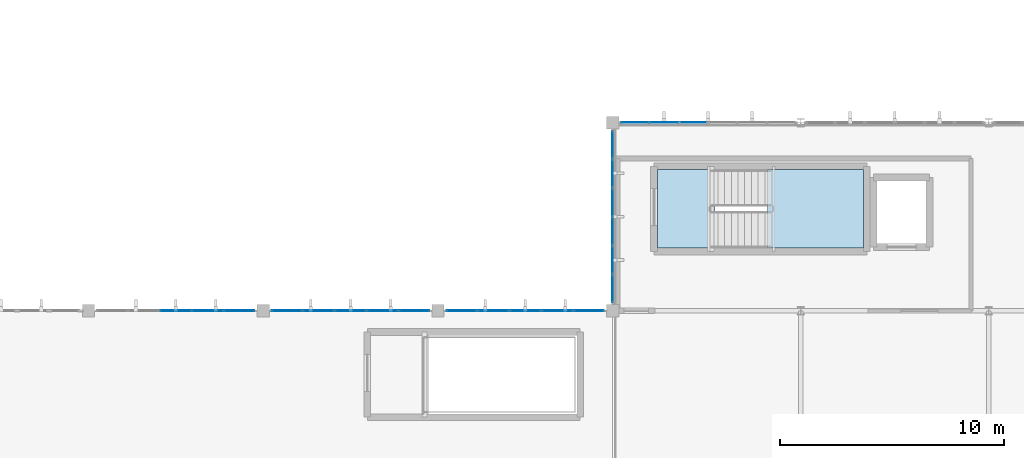
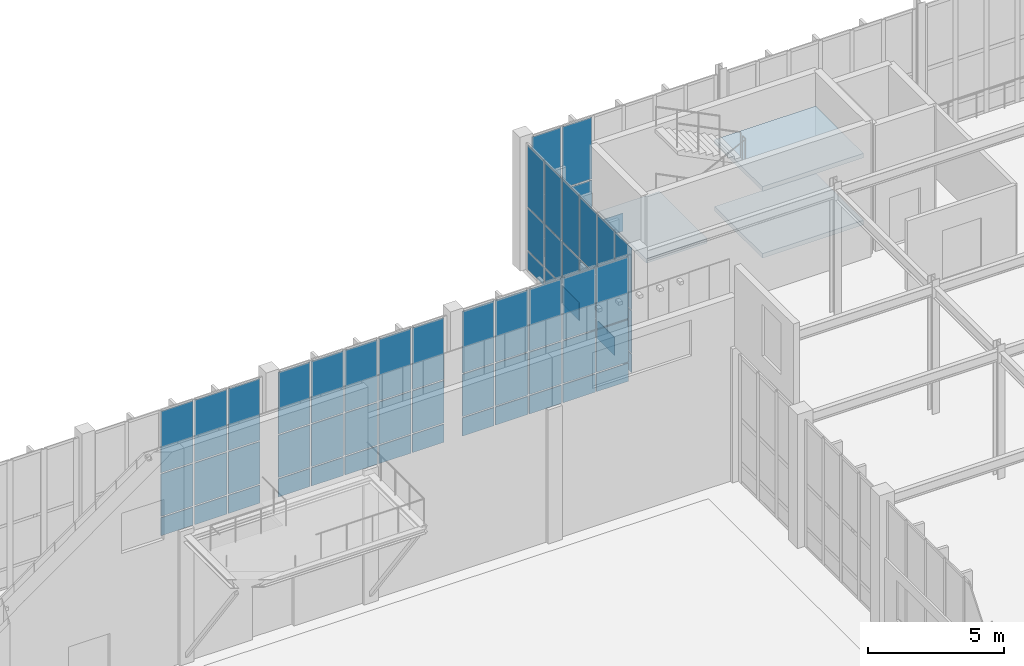
# One storey, part 61 of 105: 64 plates, 3 slabs, 6 elements without a shape of their own.
"""IFC4 building model written with IfcOpenShell, lengths in metres."""

import ifcopenshell
import ifcopenshell.guid

model = None  # the IFC model being written
_history = None  # IfcOwnerHistory: only IFC2X3 demands one
_inside = {}  # id of a spatial element -> (the spatial element, [elements in it])
_under = {}  # id of a project, library or spatial element -> (it, [spatial elements below it])
_declared = {}  # id of a project -> (the project, [libraries it declares])
_typed = {}  # id of a type object -> (the type object, [elements of that type])
_made_of = {}  # id of a material, layer set ... -> (it, [elements and type objects made of it])


def new_model(schema):
    """Start an empty IFC model of exactly this schema.

    Asked for "IFC4X3", IfcOpenShell would pick the latest addendum, in which some entities
    have other attributes; the version numbers below select the first issue.
    IFC2X3 requires an IfcOwnerHistory on every rooted entity: one is made here for all.
    """
    global model, _history
    if schema == "IFC4X3":
        model = ifcopenshell.file(schema_version=(4, 3, 0, 0))
    else:
        model = ifcopenshell.file(schema=schema)
    _inside.clear()
    _under.clear()
    _declared.clear()
    _typed.clear()
    _made_of.clear()
    _history = None
    if model.schema == "IFC2X3":
        org = make("IfcOrganization", Name="unknown")
        user = make(
            "IfcPersonAndOrganization",
            ThePerson=make("IfcPerson", FamilyName="unknown"),
            TheOrganization=org,
        )
        app = make(
            "IfcApplication",
            ApplicationDeveloper=org,
            Version="unknown",
            ApplicationFullName="unknown",
            ApplicationIdentifier="unknown",
        )
        _history = make(
            "IfcOwnerHistory",
            OwningUser=user,
            OwningApplication=app,
            ChangeAction="ADDED",
            CreationDate=0,
        )
    return model


def make(cls, **values):
    """One entity of the class cls with the attributes given. An attribute that is None is left unset."""
    return model.create_entity(
        cls, **{name: value for name, value in values.items() if value is not None}
    )


def rooted(cls, **values):
    """An entity with a GlobalId (a new one), such as an element, a storey or a relation."""
    return make(cls, GlobalId=ifcopenshell.guid.new(), OwnerHistory=_history, **values)


def si_unit(unit_type, name, prefix=None):
    """IfcSIUnit, for example si_unit("LENGTHUNIT", "METRE", prefix="MILLI")."""
    return make("IfcSIUnit", UnitType=unit_type, Prefix=prefix, Name=name)


def assignment(units):
    """IfcUnitAssignment: the units of a project."""
    return None if units is None else make("IfcUnitAssignment", Units=units)


def point(xyz):
    """IfcCartesianPoint."""
    return None if xyz is None else make("IfcCartesianPoint", Coordinates=xyz)


def direction(xyz):
    """IfcDirection."""
    return None if xyz is None else make("IfcDirection", DirectionRatios=xyz)


def frame(location, z_axis=None, x_axis=None):
    """IfcAxis2Placement3D, a coordinate frame: its origin and axes. An axis left out is left unset."""
    return make(
        "IfcAxis2Placement3D",
        Location=point(location),
        Axis=direction(z_axis),
        RefDirection=direction(x_axis),
    )


def frame_2d(location, x_axis=None):
    """IfcAxis2Placement2D, a coordinate frame in the plane: its origin and x axis."""
    return make(
        "IfcAxis2Placement2D", Location=point(location), RefDirection=direction(x_axis)
    )


def origin():
    """The frame at (0, 0, 0) with its axes left unset."""
    return frame((0.0, 0.0, 0.0))


def origin_2d():
    """The frame at (0, 0) in the plane with its x axis left unset."""
    return frame_2d((0.0, 0.0))


def place(relative_to, where):
    """IfcLocalPlacement: puts the frame where relative to a parent placement (None: the world)."""
    return make(
        "IfcLocalPlacement", PlacementRelTo=relative_to, RelativePlacement=where
    )


def context(
    kind, dimensions, precision=None, world=None, true_north=None, identifier=None
):
    """IfcGeometricRepresentationContext, for example the 3D "Model" context."""
    return make(
        "IfcGeometricRepresentationContext",
        ContextIdentifier=identifier,
        ContextType=kind,
        CoordinateSpaceDimension=dimensions,
        Precision=precision,
        WorldCoordinateSystem=world,
        TrueNorth=true_north,
    )


def subcontext(parent, identifier, kind, view, scale=None):
    """IfcGeometricRepresentationSubContext, for example "Body" below "Model"."""
    return make(
        "IfcGeometricRepresentationSubContext",
        ContextIdentifier=identifier,
        ContextType=kind,
        ParentContext=parent,
        TargetScale=scale,
        TargetView=view,
    )


def project(units=None, contexts=None):
    """IfcProject with its units and contexts."""
    return rooted(
        "IfcProject",
        Name="project",
        RepresentationContexts=contexts,
        UnitsInContext=assignment(units),
    )


def spatial(cls, under=None, at=None, **own):
    """A site, building, storey or space (cls), placed at a placement, below another one or the project."""
    s = rooted(cls, ObjectPlacement=at, **own)
    if under is not None:
        _under.setdefault(under.id(), (under, []))[1].append(s)
    return s


def polyline(points):
    """IfcPolyline through the points."""
    return make("IfcPolyline", Points=[point(p) for p in points])


def profile(cls, at=None, kind="AREA", **sizes):
    """A parametric profile (cls). Its sizes go by their IFC names, for example OverallWidth=200.0."""
    return make(cls, ProfileType=kind, Position=at, **sizes)


def rectangle(**sizes):
    """IfcRectangleProfileDef."""
    return profile("IfcRectangleProfileDef", **sizes)


def outline(outer, holes=None, kind="AREA"):
    """IfcArbitraryClosedProfileDef: a profile drawn as a closed curve; with holes, ...WithVoids."""
    if holes is None:
        return make("IfcArbitraryClosedProfileDef", ProfileType=kind, OuterCurve=outer)
    return make(
        "IfcArbitraryProfileDefWithVoids",
        ProfileType=kind,
        OuterCurve=outer,
        InnerCurves=holes,
    )


def extrude(swept, where, along, depth):
    """IfcExtrudedAreaSolid: the profile swept, set in the frame where, extruded along a direction by depth."""
    return make(
        "IfcExtrudedAreaSolid",
        SweptArea=swept,
        Position=where,
        ExtrudedDirection=direction(along),
        Depth=depth,
    )


def shape(context_of_items, identifier, shape_type, items):
    """IfcShapeRepresentation: the items that make up one representation, for example the "Body"."""
    return make(
        "IfcShapeRepresentation",
        ContextOfItems=context_of_items,
        RepresentationIdentifier=identifier,
        RepresentationType=shape_type,
        Items=items,
    )


def material(Name=None, Category=None):
    """IfcMaterial."""
    return make("IfcMaterial", Name=Name, Category=Category)


def layer(
    of_material, thickness, ventilated=None, Name=None, Category=None, Priority=None
):
    """IfcMaterialLayer: one layer of a wall or slab, of a material (None: an air gap)."""
    return make(
        "IfcMaterialLayer",
        Material=of_material,
        LayerThickness=thickness,
        IsVentilated=ventilated,
        Name=Name,
        Category=Category,
        Priority=Priority,
    )


def layer_set(layers, Name=None):
    """IfcMaterialLayerSet."""
    return make("IfcMaterialLayerSet", MaterialLayers=layers, LayerSetName=Name)


def made_of(thing, what):
    """Note that an element or type object is made of a material, layer set ...; save() writes the relation."""
    if what is not None:
        _made_of.setdefault(what.id(), (what, []))[1].append(thing)
    return thing


def type_object(cls, material=None, **own):
    """A type object (cls), such as IfcWallType, which elements share."""
    return made_of(rooted(cls, **own), material)


def element(
    cls,
    number,
    at=None,
    inside=None,
    cuts=None,
    type_object=None,
    material=None,
    context=None,
    identifier="Body",
    shape_type=None,
    held_by="IfcProductDefinitionShape",
    body=None,
    shapes=None,
    **own,
):
    """One element of the class cls, such as IfcWall. Its Tag is "e" and its number.

    at: its placement. inside: the storey or other place that contains it. cuts: it is an
    opening in that element (IfcRelVoidsElement). A single representation is given by context,
    identifier, shape_type and body (its items); several are given by shapes. held_by: the class
    of the entity that holds the representations. save() writes the other relations.
    """
    e = rooted(cls, Tag="e%d" % number, ObjectPlacement=at, **own)
    if body is not None:
        shapes = [shape(context, identifier, shape_type, body)]
    if shapes is not None:
        e.Representation = make(held_by, Representations=shapes)
    if inside is not None:
        _inside.setdefault(inside.id(), (inside, []))[1].append(e)
    if cuts is not None:
        rooted(
            "IfcRelVoidsElement", RelatingBuildingElement=cuts, RelatedOpeningElement=e
        )
    if type_object is not None:
        _typed.setdefault(type_object.id(), (type_object, []))[1].append(e)
    return made_of(e, material)


def aggregate(whole, parts):
    """IfcRelAggregates: a whole, such as a stair, and the parts it consists of."""
    return rooted("IfcRelAggregates", RelatingObject=whole, RelatedObjects=parts)


def save(model, path):
    """Write the relations noted so far, then the file.

    IfcRelAggregates (storeys below a building ...), IfcRelContainedInSpatialStructure (elements
    in a storey), IfcRelDefinesByType, IfcRelAssociatesMaterial and IfcRelDeclares: one each for
    every whole, place, type object, material and project.
    """
    for whole, parts in _under.values():
        aggregate(whole, parts)
    for where, things in _inside.values():
        rooted(
            "IfcRelContainedInSpatialStructure",
            RelatedElements=things,
            RelatingStructure=where,
        )
    for kind, things in _typed.values():
        rooted("IfcRelDefinesByType", RelatedObjects=things, RelatingType=kind)
    for what, things in _made_of.values():
        rooted("IfcRelAssociatesMaterial", RelatedObjects=things, RelatingMaterial=what)
    for by, libraries in _declared.values():
        rooted("IfcRelDeclares", RelatingContext=by, RelatedDefinitions=libraries)
    model.write(path)


model = new_model("IFC4")

# Units and contexts
model_context = context("Model", 3, precision=1e-05, world=origin(), true_north=direction((0.0, 1.0)))
body_context = subcontext(model_context, "Body", "Model", "MODEL_VIEW")
ifc_project = project(units=[si_unit("LENGTHUNIT", "METRE"), si_unit("AREAUNIT", "SQUARE_METRE"), si_unit("VOLUMEUNIT", "CUBIC_METRE"), si_unit("PLANEANGLEUNIT", "RADIAN"), si_unit("MASSUNIT", "GRAM", prefix="KILO")], contexts=[model_context])

# Site, building, storey
site_placement = place(None, origin())
site = spatial("IfcSite", under=ifc_project, at=site_placement, CompositionType="ELEMENT")
building_placement = place(site_placement, origin())
building = spatial("IfcBuilding", under=site, at=building_placement, Name="Tizgana Railside Sports Hall", CompositionType="ELEMENT")
storey_placement = place(building_placement, frame((0.0, 0.0, 6.0)))
storey = spatial("IfcBuildingStorey", under=building, at=storey_placement, Name="L01", CompositionType="ELEMENT", Elevation=6.0)

# Curtain wall, plates
ifc_material_1 = material(Name="Anodised aluminium and glass", Category="aluminium")
curtain_wall_type_1 = type_object("IfcCurtainWallType", Name="Unitised Curtain Wall Passage 1800", PredefinedType="NOTDEFINED", material=ifc_material_1)
curtain_wall_1_placement = place(storey_placement, origin())
curtain_wall_1 = element("IfcCurtainWall", 1, at=curtain_wall_1_placement, inside=storey, type_object=curtain_wall_type_1, Name="L01 Curtain Wall CW-0013", PredefinedType="NOTDEFINED")
ifc_material_2 = material(Name="Double low-E laminated glass", Category="glass")
ifc_layer_1 = layer(ifc_material_2, 0.033935546875, Name="Double low-E laminated glass")
ifc_layer_set_1 = layer_set([ifc_layer_1], Name="Double low-E laminated glass")
plate_type_1 = type_object("IfcPlateType", Name="Acoustic Laminated Glazing Panel 34", PredefinedType="CURTAIN_PANEL", material=ifc_layer_set_1)
plate_1_placement = place(storey_placement, frame((40.05908203125, 80.39990234375, 0.06005859375), z_axis=(0.0, 0.0, 1.0), x_axis=(1.0, 0.0, 0.0)))
plate_1 = element("IfcPlate", 2, at=plate_1_placement, type_object=plate_type_1, Name="CW-06 panel 1.1", PredefinedType="CURTAIN_PANEL", context=body_context, shape_type="SweptSolid", body=[
    extrude(rectangle(XDim=1.337890625, YDim=0.033935546875, at=origin_2d()), origin(), (0.0, 0.0, 1.0), 0.81005859375),
])
plate_2_placement = place(storey_placement, frame((40.05908203125, 80.39990234375, 0.93017578125), z_axis=(0.0, 0.0, 1.0), x_axis=(1.0, 0.0, 0.0)))
plate_2 = element("IfcPlate", 3, at=plate_2_placement, type_object=plate_type_1, Name="CW-06 panel 1.2", PredefinedType="CURTAIN_PANEL", context=body_context, shape_type="SweptSolid", body=[
    extrude(rectangle(XDim=1.337890625, YDim=0.033935546875, at=origin_2d()), origin(), (0.0, 0.0, 1.0), 1.889892578125),
])
plate_3_placement = place(storey_placement, frame((40.05908203125, 80.39990234375, 2.8798828125), z_axis=(0.0, 0.0, 1.0), x_axis=(1.0, 0.0, 0.0)))
plate_3 = element("IfcPlate", 4, at=plate_3_placement, type_object=plate_type_1, Name="CW-06 panel 1.3", PredefinedType="CURTAIN_PANEL", context=body_context, shape_type="SweptSolid", body=[
    extrude(rectangle(XDim=1.337890625, YDim=0.033935546875, at=origin_2d()), origin(), (0.0, 0.0, 1.0), 2.760009765625),
])
plate_4_placement = place(storey_placement, frame((41.471923828125, 80.39990234375, 0.06005859375), z_axis=(0.0, 0.0, 1.0), x_axis=(1.0, 0.0, 0.0)))
plate_4 = element("IfcPlate", 5, at=plate_4_placement, type_object=plate_type_1, Name="CW-06 panel 2.1", PredefinedType="CURTAIN_PANEL", context=body_context, shape_type="SweptSolid", body=[
    extrude(rectangle(XDim=1.367919921875, YDim=0.033935546875, at=origin_2d()), origin(), (0.0, 0.0, 1.0), 0.81005859375),
])
plate_5_placement = place(storey_placement, frame((41.471923828125, 80.39990234375, 0.93017578125), z_axis=(0.0, 0.0, 1.0), x_axis=(1.0, 0.0, 0.0)))
plate_5 = element("IfcPlate", 6, at=plate_5_placement, type_object=plate_type_1, Name="CW-06 panel 2.2", PredefinedType="CURTAIN_PANEL", context=body_context, shape_type="SweptSolid", body=[
    extrude(rectangle(XDim=1.367919921875, YDim=0.033935546875, at=origin_2d()), origin(), (0.0, 0.0, 1.0), 1.889892578125),
])
plate_6_placement = place(storey_placement, frame((41.471923828125, 80.39990234375, 2.8798828125), z_axis=(0.0, 0.0, 1.0), x_axis=(1.0, 0.0, 0.0)))
plate_6 = element("IfcPlate", 7, at=plate_6_placement, type_object=plate_type_1, Name="CW-06 panel 2.3", PredefinedType="CURTAIN_PANEL", context=body_context, shape_type="SweptSolid", body=[
    extrude(rectangle(XDim=1.367919921875, YDim=0.033935546875, at=origin_2d()), origin(), (0.0, 0.0, 1.0), 2.760009765625),
])
plate_7_placement = place(storey_placement, frame((42.89990234375, 80.39990234375, 0.06005859375), z_axis=(0.0, 0.0, 1.0), x_axis=(1.0, 0.0, 0.0)))
plate_7 = element("IfcPlate", 8, at=plate_7_placement, type_object=plate_type_1, Name="CW-06 panel 3.1", PredefinedType="CURTAIN_PANEL", context=body_context, shape_type="SweptSolid", body=[
    extrude(rectangle(XDim=1.367919921875, YDim=0.033935546875, at=origin_2d()), origin(), (0.0, 0.0, 1.0), 0.81005859375),
])
plate_8_placement = place(storey_placement, frame((42.89990234375, 80.39990234375, 0.93017578125), z_axis=(0.0, 0.0, 1.0), x_axis=(1.0, 0.0, 0.0)))
plate_8 = element("IfcPlate", 9, at=plate_8_placement, type_object=plate_type_1, Name="CW-06 panel 3.2", PredefinedType="CURTAIN_PANEL", context=body_context, shape_type="SweptSolid", body=[
    extrude(rectangle(XDim=1.367919921875, YDim=0.033935546875, at=origin_2d()), origin(), (0.0, 0.0, 1.0), 1.889892578125),
])
plate_9_placement = place(storey_placement, frame((42.89990234375, 80.39990234375, 2.8798828125), z_axis=(0.0, 0.0, 1.0), x_axis=(1.0, 0.0, 0.0)))
plate_9 = element("IfcPlate", 10, at=plate_9_placement, type_object=plate_type_1, Name="CW-06 panel 3.3", PredefinedType="CURTAIN_PANEL", context=body_context, shape_type="SweptSolid", body=[
    extrude(rectangle(XDim=1.367919921875, YDim=0.033935546875, at=origin_2d()), origin(), (0.0, 0.0, 1.0), 2.760009765625),
])
plate_10_placement = place(storey_placement, frame((44.327880859375, 80.39990234375, 0.06005859375), z_axis=(0.0, 0.0, 1.0), x_axis=(1.0, 0.0, 0.0)))
plate_10 = element("IfcPlate", 11, at=plate_10_placement, type_object=plate_type_1, Name="CW-06 panel 4.1", PredefinedType="CURTAIN_PANEL", context=body_context, shape_type="SweptSolid", body=[
    extrude(rectangle(XDim=1.367919921875, YDim=0.033935546875, at=origin_2d()), origin(), (0.0, 0.0, 1.0), 0.81005859375),
])
plate_11_placement = place(storey_placement, frame((44.327880859375, 80.39990234375, 0.93017578125), z_axis=(0.0, 0.0, 1.0), x_axis=(1.0, 0.0, 0.0)))
plate_11 = element("IfcPlate", 12, at=plate_11_placement, type_object=plate_type_1, Name="CW-06 panel 4.2", PredefinedType="CURTAIN_PANEL", context=body_context, shape_type="SweptSolid", body=[
    extrude(rectangle(XDim=1.367919921875, YDim=0.033935546875, at=origin_2d()), origin(), (0.0, 0.0, 1.0), 1.889892578125),
])
plate_12_placement = place(storey_placement, frame((44.327880859375, 80.39990234375, 2.8798828125), z_axis=(0.0, 0.0, 1.0), x_axis=(1.0, 0.0, 0.0)))
plate_12 = element("IfcPlate", 13, at=plate_12_placement, type_object=plate_type_1, Name="CW-06 panel 4.3", PredefinedType="CURTAIN_PANEL", context=body_context, shape_type="SweptSolid", body=[
    extrude(rectangle(XDim=1.367919921875, YDim=0.033935546875, at=origin_2d()), origin(), (0.0, 0.0, 1.0), 2.760009765625),
])
plate_13_placement = place(storey_placement, frame((45.740966796875, 80.39990234375, 0.06005859375), z_axis=(0.0, 0.0, 1.0), x_axis=(1.0, 0.0, 0.0)))
plate_13 = element("IfcPlate", 14, at=plate_13_placement, type_object=plate_type_1, Name="CW-06 panel 5.1", PredefinedType="CURTAIN_PANEL", context=body_context, shape_type="SweptSolid", body=[
    extrude(rectangle(XDim=1.337890625, YDim=0.033935546875, at=origin_2d()), origin(), (0.0, 0.0, 1.0), 0.81005859375),
])
plate_14_placement = place(storey_placement, frame((45.740966796875, 80.39990234375, 0.93017578125), z_axis=(0.0, 0.0, 1.0), x_axis=(1.0, 0.0, 0.0)))
plate_14 = element("IfcPlate", 15, at=plate_14_placement, type_object=plate_type_1, Name="CW-06 panel 5.2", PredefinedType="CURTAIN_PANEL", context=body_context, shape_type="SweptSolid", body=[
    extrude(rectangle(XDim=1.337890625, YDim=0.033935546875, at=origin_2d()), origin(), (0.0, 0.0, 1.0), 1.889892578125),
])
plate_15_placement = place(storey_placement, frame((45.740966796875, 80.39990234375, 2.8798828125), z_axis=(0.0, 0.0, 1.0), x_axis=(1.0, 0.0, 0.0)))
plate_15 = element("IfcPlate", 16, at=plate_15_placement, type_object=plate_type_1, Name="CW-06 panel 5.3", PredefinedType="CURTAIN_PANEL", context=body_context, shape_type="SweptSolid", body=[
    extrude(rectangle(XDim=1.337890625, YDim=0.033935546875, at=origin_2d()), origin(), (0.0, 0.0, 1.0), 2.760009765625),
])
aggregate(curtain_wall_1, [plate_1, plate_2, plate_3, plate_4, plate_5, plate_6, plate_7, plate_8, plate_9, plate_10, plate_11, plate_12, plate_13, plate_14, plate_15])

# Stair, slabs
ifc_material_3 = material(Name="Concrete C35/45", Category="concrete")
stair_type = type_object("IfcStairType", Name="Concourse Feature Stair 1800", PredefinedType="HALF_TURN_STAIR", material=ifc_material_3)
stair_placement = place(storey_placement, origin())
stair = element("IfcStair", 17, at=stair_placement, inside=storey, type_object=stair_type, Name="L01 Core Stair ST-04", PredefinedType="HALF_TURN_STAIR")
ifc_layer_2 = layer(ifc_material_3, 0.199951171875, Name="Concrete C35/45")
ifc_layer_set_2 = layer_set([ifc_layer_2], Name="Concrete C35/45")
slab_type = type_object("IfcSlabType", Name="Core Stair Landing Slab 200", PredefinedType="LANDING", material=ifc_layer_set_2)
slab_1_placement = place(storey_placement, frame((0.0, 0.0, 1.300048828125)))
slab_1 = element("IfcSlab", 18, at=slab_1_placement, type_object=slab_type, Name="ST-04 landing 1", PredefinedType="LANDING", context=body_context, shape_type="SweptSolid", body=[
    extrude(outline(polyline([(61.52001953125, 83.199951171875), (65.800048828125, 83.199951171875), (65.800048828125, 86.699951171875), (61.52001953125, 86.699951171875), (61.52001953125, 83.199951171875)])), origin(), (0.0, 0.0, 1.0), 0.199951171875),
])
slab_2_placement = place(storey_placement, frame((0.0, 0.0, 2.800048828125)))
slab_2 = element("IfcSlab", 19, at=slab_2_placement, type_object=slab_type, Name="ST-04 landing 2", PredefinedType="LANDING", context=body_context, shape_type="SweptSolid", body=[
    extrude(outline(polyline([(56.60009765625, 83.199951171875), (59.179931640625, 83.199951171875), (59.179931640625, 86.699951171875), (56.60009765625, 86.699951171875), (56.60009765625, 83.199951171875)])), origin(), (0.0, 0.0, 1.0), 0.199951171875),
])
slab_3_placement = place(storey_placement, frame((0.0, 0.0, 4.300048828125)))
slab_3 = element("IfcSlab", 20, at=slab_3_placement, type_object=slab_type, Name="ST-04 landing 3", PredefinedType="LANDING", context=body_context, shape_type="SweptSolid", body=[
    extrude(outline(polyline([(61.52001953125, 83.199951171875), (65.800048828125, 83.199951171875), (65.800048828125, 86.699951171875), (61.52001953125, 86.699951171875), (61.52001953125, 83.199951171875)])), origin(), (0.0, 0.0, 1.0), 0.199951171875),
])
aggregate(stair, [slab_1, slab_2, slab_3])

# Curtain wall, plates
curtain_wall_type_2 = type_object("IfcCurtainWallType", Name="Unitised Curtain Wall WestHall 1560", PredefinedType="NOTDEFINED", material=ifc_material_1)
curtain_wall_2_placement = place(storey_placement, origin())
curtain_wall_2 = element("IfcCurtainWall", 21, at=curtain_wall_2_placement, inside=storey, type_object=curtain_wall_type_2, Name="L01 Curtain Wall CW-0014", PredefinedType="NOTDEFINED")
ifc_layer_3 = layer(ifc_material_2, 0.0400390625, Name="Double low-E laminated glass")
ifc_layer_set_3 = layer_set([ifc_layer_3], Name="Double low-E laminated glass")
plate_type_2 = type_object("IfcPlateType", Name="High-Span Tempered Glazing Panel 40", PredefinedType="CURTAIN_PANEL", material=ifc_layer_set_3)
plate_16_placement = place(storey_placement, frame((47.85888671875, 80.39990234375, 0.06005859375), z_axis=(0.0, 0.0, 1.0), x_axis=(1.0, 0.0, 0.0)))
plate_16 = element("IfcPlate", 22, at=plate_16_placement, type_object=plate_type_2, Name="CW-07 panel 1.1", PredefinedType="CURTAIN_PANEL", context=body_context, shape_type="SweptSolid", body=[
    extrude(rectangle(XDim=1.337890625, YDim=0.0400390625, at=origin_2d()), origin(), (0.0, 0.0, 1.0), 0.81005859375),
])
plate_17_placement = place(storey_placement, frame((47.85888671875, 80.39990234375, 0.93017578125), z_axis=(0.0, 0.0, 1.0), x_axis=(1.0, 0.0, 0.0)))
plate_17 = element("IfcPlate", 23, at=plate_17_placement, type_object=plate_type_2, Name="CW-07 panel 1.2", PredefinedType="CURTAIN_PANEL", context=body_context, shape_type="SweptSolid", body=[
    extrude(rectangle(XDim=1.337890625, YDim=0.0400390625, at=origin_2d()), origin(), (0.0, 0.0, 1.0), 1.889892578125),
])
plate_18_placement = place(storey_placement, frame((47.85888671875, 80.39990234375, 2.8798828125), z_axis=(0.0, 0.0, 1.0), x_axis=(1.0, 0.0, 0.0)))
plate_18 = element("IfcPlate", 24, at=plate_18_placement, type_object=plate_type_2, Name="CW-07 panel 1.3", PredefinedType="CURTAIN_PANEL", context=body_context, shape_type="SweptSolid", body=[
    extrude(rectangle(XDim=1.337890625, YDim=0.0400390625, at=origin_2d()), origin(), (0.0, 0.0, 1.0), 2.760009765625),
])
plate_19_placement = place(storey_placement, frame((49.27197265625, 80.39990234375, 0.06005859375), z_axis=(0.0, 0.0, 1.0), x_axis=(1.0, 0.0, 0.0)))
plate_19 = element("IfcPlate", 25, at=plate_19_placement, type_object=plate_type_2, Name="CW-07 panel 2.1", PredefinedType="CURTAIN_PANEL", context=body_context, shape_type="SweptSolid", body=[
    extrude(rectangle(XDim=1.367919921875, YDim=0.0400390625, at=origin_2d()), origin(), (0.0, 0.0, 1.0), 0.81005859375),
])
plate_20_placement = place(storey_placement, frame((49.27197265625, 80.39990234375, 0.93017578125), z_axis=(0.0, 0.0, 1.0), x_axis=(1.0, 0.0, 0.0)))
plate_20 = element("IfcPlate", 26, at=plate_20_placement, type_object=plate_type_2, Name="CW-07 panel 2.2", PredefinedType="CURTAIN_PANEL", context=body_context, shape_type="SweptSolid", body=[
    extrude(rectangle(XDim=1.367919921875, YDim=0.0400390625, at=origin_2d()), origin(), (0.0, 0.0, 1.0), 1.889892578125),
])
plate_21_placement = place(storey_placement, frame((49.27197265625, 80.39990234375, 2.8798828125), z_axis=(0.0, 0.0, 1.0), x_axis=(1.0, 0.0, 0.0)))
plate_21 = element("IfcPlate", 27, at=plate_21_placement, type_object=plate_type_2, Name="CW-07 panel 2.3", PredefinedType="CURTAIN_PANEL", context=body_context, shape_type="SweptSolid", body=[
    extrude(rectangle(XDim=1.367919921875, YDim=0.0400390625, at=origin_2d()), origin(), (0.0, 0.0, 1.0), 2.760009765625),
])
plate_22_placement = place(storey_placement, frame((50.699951171875, 80.39990234375, 0.06005859375), z_axis=(0.0, 0.0, 1.0), x_axis=(1.0, 0.0, 0.0)))
plate_22 = element("IfcPlate", 28, at=plate_22_placement, type_object=plate_type_2, Name="CW-07 panel 3.1", PredefinedType="CURTAIN_PANEL", context=body_context, shape_type="SweptSolid", body=[
    extrude(rectangle(XDim=1.367919921875, YDim=0.0400390625, at=origin_2d()), origin(), (0.0, 0.0, 1.0), 0.81005859375),
])
plate_23_placement = place(storey_placement, frame((50.699951171875, 80.39990234375, 0.93017578125), z_axis=(0.0, 0.0, 1.0), x_axis=(1.0, 0.0, 0.0)))
plate_23 = element("IfcPlate", 29, at=plate_23_placement, type_object=plate_type_2, Name="CW-07 panel 3.2", PredefinedType="CURTAIN_PANEL", context=body_context, shape_type="SweptSolid", body=[
    extrude(rectangle(XDim=1.367919921875, YDim=0.0400390625, at=origin_2d()), origin(), (0.0, 0.0, 1.0), 1.889892578125),
])
plate_24_placement = place(storey_placement, frame((50.699951171875, 80.39990234375, 2.8798828125), z_axis=(0.0, 0.0, 1.0), x_axis=(1.0, 0.0, 0.0)))
plate_24 = element("IfcPlate", 30, at=plate_24_placement, type_object=plate_type_2, Name="CW-07 panel 3.3", PredefinedType="CURTAIN_PANEL", context=body_context, shape_type="SweptSolid", body=[
    extrude(rectangle(XDim=1.367919921875, YDim=0.0400390625, at=origin_2d()), origin(), (0.0, 0.0, 1.0), 2.760009765625),
])
plate_25_placement = place(storey_placement, frame((52.1279296875, 80.39990234375, 0.06005859375), z_axis=(0.0, 0.0, 1.0), x_axis=(1.0, 0.0, 0.0)))
plate_25 = element("IfcPlate", 31, at=plate_25_placement, type_object=plate_type_2, Name="CW-07 panel 4.1", PredefinedType="CURTAIN_PANEL", context=body_context, shape_type="SweptSolid", body=[
    extrude(rectangle(XDim=1.367919921875, YDim=0.0400390625, at=origin_2d()), origin(), (0.0, 0.0, 1.0), 0.81005859375),
])
plate_26_placement = place(storey_placement, frame((52.1279296875, 80.39990234375, 0.93017578125), z_axis=(0.0, 0.0, 1.0), x_axis=(1.0, 0.0, 0.0)))
plate_26 = element("IfcPlate", 32, at=plate_26_placement, type_object=plate_type_2, Name="CW-07 panel 4.2", PredefinedType="CURTAIN_PANEL", context=body_context, shape_type="SweptSolid", body=[
    extrude(rectangle(XDim=1.367919921875, YDim=0.0400390625, at=origin_2d()), origin(), (0.0, 0.0, 1.0), 1.889892578125),
])
plate_27_placement = place(storey_placement, frame((52.1279296875, 80.39990234375, 2.8798828125), z_axis=(0.0, 0.0, 1.0), x_axis=(1.0, 0.0, 0.0)))
plate_27 = element("IfcPlate", 33, at=plate_27_placement, type_object=plate_type_2, Name="CW-07 panel 4.3", PredefinedType="CURTAIN_PANEL", context=body_context, shape_type="SweptSolid", body=[
    extrude(rectangle(XDim=1.367919921875, YDim=0.0400390625, at=origin_2d()), origin(), (0.0, 0.0, 1.0), 2.760009765625),
])
plate_28_placement = place(storey_placement, frame((53.541015625, 80.39990234375, 0.06005859375), z_axis=(0.0, 0.0, 1.0), x_axis=(1.0, 0.0, 0.0)))
plate_28 = element("IfcPlate", 34, at=plate_28_placement, type_object=plate_type_2, Name="CW-07 panel 5.1", PredefinedType="CURTAIN_PANEL", context=body_context, shape_type="SweptSolid", body=[
    extrude(rectangle(XDim=1.337890625, YDim=0.0400390625, at=origin_2d()), origin(), (0.0, 0.0, 1.0), 0.81005859375),
])
plate_29_placement = place(storey_placement, frame((53.541015625, 80.39990234375, 0.93017578125), z_axis=(0.0, 0.0, 1.0), x_axis=(1.0, 0.0, 0.0)))
plate_29 = element("IfcPlate", 35, at=plate_29_placement, type_object=plate_type_2, Name="CW-07 panel 5.2", PredefinedType="CURTAIN_PANEL", context=body_context, shape_type="SweptSolid", body=[
    extrude(rectangle(XDim=1.337890625, YDim=0.0400390625, at=origin_2d()), origin(), (0.0, 0.0, 1.0), 1.889892578125),
])
plate_30_placement = place(storey_placement, frame((53.541015625, 80.39990234375, 2.8798828125), z_axis=(0.0, 0.0, 1.0), x_axis=(1.0, 0.0, 0.0)))
plate_30 = element("IfcPlate", 36, at=plate_30_placement, type_object=plate_type_2, Name="CW-07 panel 5.3", PredefinedType="CURTAIN_PANEL", context=body_context, shape_type="SweptSolid", body=[
    extrude(rectangle(XDim=1.337890625, YDim=0.0400390625, at=origin_2d()), origin(), (0.0, 0.0, 1.0), 2.760009765625),
])
aggregate(curtain_wall_2, [plate_16, plate_17, plate_18, plate_19, plate_20, plate_21, plate_22, plate_23, plate_24, plate_25, plate_26, plate_27, plate_28, plate_29, plate_30])

curtain_wall_type_3 = type_object("IfcCurtainWallType", Name="Unitised Curtain Wall Clinic 1200", PredefinedType="NOTDEFINED", material=ifc_material_1)
curtain_wall_3_placement = place(storey_placement, origin())
curtain_wall_3 = element("IfcCurtainWall", 37, at=curtain_wall_3_placement, inside=storey, type_object=curtain_wall_type_3, Name="L01 Curtain Wall CW-0012", PredefinedType="NOTDEFINED")
ifc_layer_4 = layer(ifc_material_2, 0.028076171875, Name="Double low-E laminated glass")
ifc_layer_set_4 = layer_set([ifc_layer_4], Name="Double low-E laminated glass")
plate_type_3 = type_object("IfcPlateType", Name="Solar Low-E Glazing Panel 28", PredefinedType="CURTAIN_PANEL", material=ifc_layer_set_4)
plate_31_placement = place(storey_placement, frame((35.10009765625, 80.39990234375, 0.06005859375), z_axis=(0.0, 0.0, 1.0), x_axis=(1.0, 0.0, 0.0)))
plate_31 = element("IfcPlate", 38, at=plate_31_placement, type_object=plate_type_3, Name="CW-05 panel 3.1", PredefinedType="CURTAIN_PANEL", context=body_context, shape_type="SweptSolid", body=[
    extrude(rectangle(XDim=1.367919921875, YDim=0.028076171875, at=origin_2d()), origin(), (0.0, 0.0, 1.0), 0.81005859375),
])
plate_32_placement = place(storey_placement, frame((35.10009765625, 80.39990234375, 0.93017578125), z_axis=(0.0, 0.0, 1.0), x_axis=(1.0, 0.0, 0.0)))
plate_32 = element("IfcPlate", 39, at=plate_32_placement, type_object=plate_type_3, Name="CW-05 panel 3.2", PredefinedType="CURTAIN_PANEL", context=body_context, shape_type="SweptSolid", body=[
    extrude(rectangle(XDim=1.367919921875, YDim=0.028076171875, at=origin_2d()), origin(), (0.0, 0.0, 1.0), 1.889892578125),
])
plate_33_placement = place(storey_placement, frame((35.10009765625, 80.39990234375, 2.8798828125), z_axis=(0.0, 0.0, 1.0), x_axis=(1.0, 0.0, 0.0)))
plate_33 = element("IfcPlate", 40, at=plate_33_placement, type_object=plate_type_3, Name="CW-05 panel 3.3", PredefinedType="CURTAIN_PANEL", context=body_context, shape_type="SweptSolid", body=[
    extrude(rectangle(XDim=1.367919921875, YDim=0.028076171875, at=origin_2d()), origin(), (0.0, 0.0, 1.0), 2.760009765625),
])
plate_34_placement = place(storey_placement, frame((36.528076171875, 80.39990234375, 0.06005859375), z_axis=(0.0, 0.0, 1.0), x_axis=(1.0, 0.0, 0.0)))
plate_34 = element("IfcPlate", 41, at=plate_34_placement, type_object=plate_type_3, Name="CW-05 panel 4.1", PredefinedType="CURTAIN_PANEL", context=body_context, shape_type="SweptSolid", body=[
    extrude(rectangle(XDim=1.367919921875, YDim=0.028076171875, at=origin_2d()), origin(), (0.0, 0.0, 1.0), 0.81005859375),
])
plate_35_placement = place(storey_placement, frame((36.528076171875, 80.39990234375, 0.93017578125), z_axis=(0.0, 0.0, 1.0), x_axis=(1.0, 0.0, 0.0)))
plate_35 = element("IfcPlate", 42, at=plate_35_placement, type_object=plate_type_3, Name="CW-05 panel 4.2", PredefinedType="CURTAIN_PANEL", context=body_context, shape_type="SweptSolid", body=[
    extrude(rectangle(XDim=1.367919921875, YDim=0.028076171875, at=origin_2d()), origin(), (0.0, 0.0, 1.0), 1.889892578125),
])
plate_36_placement = place(storey_placement, frame((36.528076171875, 80.39990234375, 2.8798828125), z_axis=(0.0, 0.0, 1.0), x_axis=(1.0, 0.0, 0.0)))
plate_36 = element("IfcPlate", 43, at=plate_36_placement, type_object=plate_type_3, Name="CW-05 panel 4.3", PredefinedType="CURTAIN_PANEL", context=body_context, shape_type="SweptSolid", body=[
    extrude(rectangle(XDim=1.367919921875, YDim=0.028076171875, at=origin_2d()), origin(), (0.0, 0.0, 1.0), 2.760009765625),
])
plate_37_placement = place(storey_placement, frame((37.94091796875, 80.39990234375, 0.06005859375), z_axis=(0.0, 0.0, 1.0), x_axis=(1.0, 0.0, 0.0)))
plate_37 = element("IfcPlate", 44, at=plate_37_placement, type_object=plate_type_3, Name="CW-05 panel 5.1", PredefinedType="CURTAIN_PANEL", context=body_context, shape_type="SweptSolid", body=[
    extrude(rectangle(XDim=1.337890625, YDim=0.028076171875, at=origin_2d()), origin(), (0.0, 0.0, 1.0), 0.81005859375),
])
plate_38_placement = place(storey_placement, frame((37.94091796875, 80.39990234375, 0.93017578125), z_axis=(0.0, 0.0, 1.0), x_axis=(1.0, 0.0, 0.0)))
plate_38 = element("IfcPlate", 45, at=plate_38_placement, type_object=plate_type_3, Name="CW-05 panel 5.2", PredefinedType="CURTAIN_PANEL", context=body_context, shape_type="SweptSolid", body=[
    extrude(rectangle(XDim=1.337890625, YDim=0.028076171875, at=origin_2d()), origin(), (0.0, 0.0, 1.0), 1.889892578125),
])
plate_39_placement = place(storey_placement, frame((37.94091796875, 80.39990234375, 2.8798828125), z_axis=(0.0, 0.0, 1.0), x_axis=(1.0, 0.0, 0.0)))
plate_39 = element("IfcPlate", 46, at=plate_39_placement, type_object=plate_type_3, Name="CW-05 panel 5.3", PredefinedType="CURTAIN_PANEL", context=body_context, shape_type="SweptSolid", body=[
    extrude(rectangle(XDim=1.337890625, YDim=0.028076171875, at=origin_2d()), origin(), (0.0, 0.0, 1.0), 2.760009765625),
])
aggregate(curtain_wall_3, [plate_31, plate_32, plate_33, plate_34, plate_35, plate_36, plate_37, plate_38, plate_39])

curtain_wall_4_placement = place(storey_placement, origin())
curtain_wall_4 = element("IfcCurtainWall", 47, at=curtain_wall_4_placement, inside=storey, type_object=curtain_wall_type_3, Name="L01 Curtain Wall CW-0036", PredefinedType="NOTDEFINED")
plate_40_placement = place(storey_placement, frame((55.600341796875, 88.800048828125, 0.06005859375), z_axis=(0.0, 0.0, 1.0), x_axis=(1.0, 0.0, 0.0)))
plate_40 = element("IfcPlate", 48, at=plate_40_placement, type_object=plate_type_3, Name="CW-05 panel 1.1", PredefinedType="CURTAIN_PANEL", context=body_context, shape_type="SweptSolid", body=[
    extrude(rectangle(XDim=1.220947265625, YDim=0.028076171875, at=origin_2d()), origin(), (0.0, 0.0, 1.0), 0.81005859375),
])
plate_41_placement = place(storey_placement, frame((55.600341796875, 88.800048828125, 0.93017578125), z_axis=(0.0, 0.0, 1.0), x_axis=(1.0, 0.0, 0.0)))
plate_41 = element("IfcPlate", 49, at=plate_41_placement, type_object=plate_type_3, Name="CW-05 panel 1.2", PredefinedType="CURTAIN_PANEL", context=body_context, shape_type="SweptSolid", body=[
    extrude(rectangle(XDim=1.220947265625, YDim=0.028076171875, at=origin_2d()), origin(), (0.0, 0.0, 1.0), 1.885009765625),
])
plate_42_placement = place(storey_placement, frame((55.600341796875, 88.800048828125, 2.875), z_axis=(0.0, 0.0, 1.0), x_axis=(1.0, 0.0, 0.0)))
plate_42 = element("IfcPlate", 50, at=plate_42_placement, type_object=plate_type_3, Name="CW-05 panel 1.3", PredefinedType="CURTAIN_PANEL", context=body_context, shape_type="SweptSolid", body=[
    extrude(rectangle(XDim=1.220947265625, YDim=0.028076171875, at=origin_2d()), origin(), (0.0, 0.0, 1.0), 2.7548828125),
])
plate_43_placement = place(storey_placement, frame((56.896240234375, 88.800048828125, 0.06005859375), z_axis=(0.0, 0.0, 1.0), x_axis=(1.0, 0.0, 0.0)))
plate_43 = element("IfcPlate", 51, at=plate_43_placement, type_object=plate_type_3, Name="CW-05 panel 2.1", PredefinedType="CURTAIN_PANEL", context=body_context, shape_type="SweptSolid", body=[
    extrude(rectangle(XDim=1.250732421875, YDim=0.028076171875, at=origin_2d()), origin(), (0.0, 0.0, 1.0), 0.81005859375),
])
plate_44_placement = place(storey_placement, frame((56.896240234375, 88.800048828125, 0.93017578125), z_axis=(0.0, 0.0, 1.0), x_axis=(1.0, 0.0, 0.0)))
plate_44 = element("IfcPlate", 52, at=plate_44_placement, type_object=plate_type_3, Name="CW-05 panel 2.2", PredefinedType="CURTAIN_PANEL", context=body_context, shape_type="SweptSolid", body=[
    extrude(rectangle(XDim=1.250732421875, YDim=0.028076171875, at=origin_2d()), origin(), (0.0, 0.0, 1.0), 1.885009765625),
])
plate_45_placement = place(storey_placement, frame((56.896240234375, 88.800048828125, 2.875), z_axis=(0.0, 0.0, 1.0), x_axis=(1.0, 0.0, 0.0)))
plate_45 = element("IfcPlate", 53, at=plate_45_placement, type_object=plate_type_3, Name="CW-05 panel 2.3", PredefinedType="CURTAIN_PANEL", context=body_context, shape_type="SweptSolid", body=[
    extrude(rectangle(XDim=1.250732421875, YDim=0.028076171875, at=origin_2d()), origin(), (0.0, 0.0, 1.0), 2.7548828125),
])
plate_46_placement = place(storey_placement, frame((58.20703125, 88.800048828125, 0.06005859375), z_axis=(0.0, 0.0, 1.0), x_axis=(1.0, 0.0, 0.0)))
plate_46 = element("IfcPlate", 54, at=plate_46_placement, type_object=plate_type_3, Name="CW-05 panel 3.1", PredefinedType="CURTAIN_PANEL", context=body_context, shape_type="SweptSolid", body=[
    extrude(rectangle(XDim=1.250732421875, YDim=0.028076171875, at=origin_2d()), origin(), (0.0, 0.0, 1.0), 0.81005859375),
])
aggregate(curtain_wall_4, [plate_40, plate_41, plate_42, plate_43, plate_44, plate_45, plate_46])

curtain_wall_type_4 = type_object("IfcCurtainWallType", Name="Unitised Curtain Wall Concourse 1500", PredefinedType="NOTDEFINED", material=ifc_material_1)
curtain_wall_5_placement = place(storey_placement, origin())
curtain_wall_5 = element("IfcCurtainWall", 55, at=curtain_wall_5_placement, inside=storey, type_object=curtain_wall_type_4, Name="L01 Curtain Wall CW-0168", PredefinedType="NOTDEFINED")
plate_47_placement = place(storey_placement, frame((54.60009765625, 87.81005859375, 0.06005859375), z_axis=(0.0, 0.0, 1.0), x_axis=(0.0, -1.0, 0.0)))
plate_47 = element("IfcPlate", 56, at=plate_47_placement, type_object=plate_type_3, Name="CW-01 panel 1.1", PredefinedType="CURTAIN_PANEL", context=body_context, shape_type="SweptSolid", body=[
    extrude(rectangle(XDim=1.199951171875, YDim=0.028076171875, at=origin_2d()), origin(), (0.0, 0.0, 1.0), 0.81005859375),
])
plate_48_placement = place(storey_placement, frame((54.60009765625, 87.81005859375, 0.93017578125), z_axis=(0.0, 0.0, 1.0), x_axis=(0.0, -1.0, 0.0)))
plate_48 = element("IfcPlate", 57, at=plate_48_placement, type_object=plate_type_3, Name="CW-01 panel 1.2", PredefinedType="CURTAIN_PANEL", context=body_context, shape_type="SweptSolid", body=[
    extrude(rectangle(XDim=1.199951171875, YDim=0.028076171875, at=origin_2d()), origin(), (0.0, 0.0, 1.0), 1.885009765625),
])
plate_49_placement = place(storey_placement, frame((54.60009765625, 87.81005859375, 2.875), z_axis=(0.0, 0.0, 1.0), x_axis=(0.0, -1.0, 0.0)))
plate_49 = element("IfcPlate", 58, at=plate_49_placement, type_object=plate_type_3, Name="CW-01 panel 1.3", PredefinedType="CURTAIN_PANEL", context=body_context, shape_type="SweptSolid", body=[
    extrude(rectangle(XDim=1.199951171875, YDim=0.028076171875, at=origin_2d()), origin(), (0.0, 0.0, 1.0), 2.7548828125),
])
plate_50_placement = place(storey_placement, frame((54.60009765625, 86.534912109375, 0.06005859375), z_axis=(0.0, 0.0, 1.0), x_axis=(0.0, -1.0, 0.0)))
plate_50 = element("IfcPlate", 59, at=plate_50_placement, type_object=plate_type_3, Name="CW-01 panel 2.1", PredefinedType="CURTAIN_PANEL", context=body_context, shape_type="SweptSolid", body=[
    extrude(rectangle(XDim=1.22998046875, YDim=0.028076171875, at=origin_2d()), origin(), (0.0, 0.0, 1.0), 0.81005859375),
])
plate_51_placement = place(storey_placement, frame((54.60009765625, 86.534912109375, 0.93017578125), z_axis=(0.0, 0.0, 1.0), x_axis=(0.0, -1.0, 0.0)))
plate_51 = element("IfcPlate", 60, at=plate_51_placement, type_object=plate_type_3, Name="CW-01 panel 2.2", PredefinedType="CURTAIN_PANEL", context=body_context, shape_type="SweptSolid", body=[
    extrude(rectangle(XDim=1.22998046875, YDim=0.028076171875, at=origin_2d()), origin(), (0.0, 0.0, 1.0), 1.885009765625),
])
plate_52_placement = place(storey_placement, frame((54.60009765625, 86.534912109375, 2.875), z_axis=(0.0, 0.0, 1.0), x_axis=(0.0, -1.0, 0.0)))
plate_52 = element("IfcPlate", 61, at=plate_52_placement, type_object=plate_type_3, Name="CW-01 panel 2.3", PredefinedType="CURTAIN_PANEL", context=body_context, shape_type="SweptSolid", body=[
    extrude(rectangle(XDim=1.22998046875, YDim=0.028076171875, at=origin_2d()), origin(), (0.0, 0.0, 1.0), 2.7548828125),
])
plate_53_placement = place(storey_placement, frame((54.60009765625, 85.2451171875, 0.06005859375), z_axis=(0.0, 0.0, 1.0), x_axis=(0.0, -1.0, 0.0)))
plate_53 = element("IfcPlate", 62, at=plate_53_placement, type_object=plate_type_3, Name="CW-01 panel 3.1", PredefinedType="CURTAIN_PANEL", context=body_context, shape_type="SweptSolid", body=[
    extrude(rectangle(XDim=1.22998046875, YDim=0.028076171875, at=origin_2d()), origin(), (0.0, 0.0, 1.0), 0.81005859375),
])
plate_54_placement = place(storey_placement, frame((54.60009765625, 85.2451171875, 0.93017578125), z_axis=(0.0, 0.0, 1.0), x_axis=(0.0, -1.0, 0.0)))
plate_54 = element("IfcPlate", 63, at=plate_54_placement, type_object=plate_type_3, Name="CW-01 panel 3.2", PredefinedType="CURTAIN_PANEL", context=body_context, shape_type="SweptSolid", body=[
    extrude(rectangle(XDim=1.22998046875, YDim=0.028076171875, at=origin_2d()), origin(), (0.0, 0.0, 1.0), 1.885009765625),
])
plate_55_placement = place(storey_placement, frame((54.60009765625, 85.2451171875, 2.875), z_axis=(0.0, 0.0, 1.0), x_axis=(0.0, -1.0, 0.0)))
plate_55 = element("IfcPlate", 64, at=plate_55_placement, type_object=plate_type_3, Name="CW-01 panel 3.3", PredefinedType="CURTAIN_PANEL", context=body_context, shape_type="SweptSolid", body=[
    extrude(rectangle(XDim=1.22998046875, YDim=0.028076171875, at=origin_2d()), origin(), (0.0, 0.0, 1.0), 2.7548828125),
])
plate_56_placement = place(storey_placement, frame((54.60009765625, 83.955078125, 0.06005859375), z_axis=(0.0, 0.0, 1.0), x_axis=(0.0, -1.0, 0.0)))
plate_56 = element("IfcPlate", 65, at=plate_56_placement, type_object=plate_type_3, Name="CW-01 panel 4.1", PredefinedType="CURTAIN_PANEL", context=body_context, shape_type="SweptSolid", body=[
    extrude(rectangle(XDim=1.22998046875, YDim=0.028076171875, at=origin_2d()), origin(), (0.0, 0.0, 1.0), 0.81005859375),
])
plate_57_placement = place(storey_placement, frame((54.60009765625, 83.955078125, 0.93017578125), z_axis=(0.0, 0.0, 1.0), x_axis=(0.0, -1.0, 0.0)))
plate_57 = element("IfcPlate", 66, at=plate_57_placement, type_object=plate_type_3, Name="CW-01 panel 4.2", PredefinedType="CURTAIN_PANEL", context=body_context, shape_type="SweptSolid", body=[
    extrude(rectangle(XDim=1.22998046875, YDim=0.028076171875, at=origin_2d()), origin(), (0.0, 0.0, 1.0), 1.885009765625),
])
plate_58_placement = place(storey_placement, frame((54.60009765625, 83.955078125, 2.875), z_axis=(0.0, 0.0, 1.0), x_axis=(0.0, -1.0, 0.0)))
plate_58 = element("IfcPlate", 67, at=plate_58_placement, type_object=plate_type_3, Name="CW-01 panel 4.3", PredefinedType="CURTAIN_PANEL", context=body_context, shape_type="SweptSolid", body=[
    extrude(rectangle(XDim=1.22998046875, YDim=0.028076171875, at=origin_2d()), origin(), (0.0, 0.0, 1.0), 2.7548828125),
])
plate_59_placement = place(storey_placement, frame((54.60009765625, 82.6650390625, 0.06005859375), z_axis=(0.0, 0.0, 1.0), x_axis=(0.0, -1.0, 0.0)))
plate_59 = element("IfcPlate", 68, at=plate_59_placement, type_object=plate_type_3, Name="CW-01 panel 5.1", PredefinedType="CURTAIN_PANEL", context=body_context, shape_type="SweptSolid", body=[
    extrude(rectangle(XDim=1.22998046875, YDim=0.028076171875, at=origin_2d()), origin(), (0.0, 0.0, 1.0), 0.81005859375),
])
plate_60_placement = place(storey_placement, frame((54.60009765625, 82.6650390625, 0.93017578125), z_axis=(0.0, 0.0, 1.0), x_axis=(0.0, -1.0, 0.0)))
plate_60 = element("IfcPlate", 69, at=plate_60_placement, type_object=plate_type_3, Name="CW-01 panel 5.2", PredefinedType="CURTAIN_PANEL", context=body_context, shape_type="SweptSolid", body=[
    extrude(rectangle(XDim=1.22998046875, YDim=0.028076171875, at=origin_2d()), origin(), (0.0, 0.0, 1.0), 1.885009765625),
])
plate_61_placement = place(storey_placement, frame((54.60009765625, 82.6650390625, 2.875), z_axis=(0.0, 0.0, 1.0), x_axis=(0.0, -1.0, 0.0)))
plate_61 = element("IfcPlate", 70, at=plate_61_placement, type_object=plate_type_3, Name="CW-01 panel 5.3", PredefinedType="CURTAIN_PANEL", context=body_context, shape_type="SweptSolid", body=[
    extrude(rectangle(XDim=1.22998046875, YDim=0.028076171875, at=origin_2d()), origin(), (0.0, 0.0, 1.0), 2.7548828125),
])
plate_62_placement = place(storey_placement, frame((54.60009765625, 81.389892578125, 0.06005859375), z_axis=(0.0, 0.0, 1.0), x_axis=(0.0, -1.0, 0.0)))
plate_62 = element("IfcPlate", 71, at=plate_62_placement, type_object=plate_type_3, Name="CW-01 panel 6.1", PredefinedType="CURTAIN_PANEL", context=body_context, shape_type="SweptSolid", body=[
    extrude(rectangle(XDim=1.199951171875, YDim=0.028076171875, at=origin_2d()), origin(), (0.0, 0.0, 1.0), 0.81005859375),
])
plate_63_placement = place(storey_placement, frame((54.60009765625, 81.389892578125, 0.93017578125), z_axis=(0.0, 0.0, 1.0), x_axis=(0.0, -1.0, 0.0)))
plate_63 = element("IfcPlate", 72, at=plate_63_placement, type_object=plate_type_3, Name="CW-01 panel 6.2", PredefinedType="CURTAIN_PANEL", context=body_context, shape_type="SweptSolid", body=[
    extrude(rectangle(XDim=1.199951171875, YDim=0.028076171875, at=origin_2d()), origin(), (0.0, 0.0, 1.0), 1.885009765625),
])
plate_64_placement = place(storey_placement, frame((54.60009765625, 81.389892578125, 2.875), z_axis=(0.0, 0.0, 1.0), x_axis=(0.0, -1.0, 0.0)))
plate_64 = element("IfcPlate", 73, at=plate_64_placement, type_object=plate_type_3, Name="CW-01 panel 6.3", PredefinedType="CURTAIN_PANEL", context=body_context, shape_type="SweptSolid", body=[
    extrude(rectangle(XDim=1.199951171875, YDim=0.028076171875, at=origin_2d()), origin(), (0.0, 0.0, 1.0), 2.7548828125),
])
aggregate(curtain_wall_5, [plate_47, plate_48, plate_49, plate_50, plate_51, plate_52, plate_53, plate_54, plate_55, plate_56, plate_57, plate_58, plate_59, plate_60, plate_61, plate_62, plate_63, plate_64])

save(model, "model.ifc")
